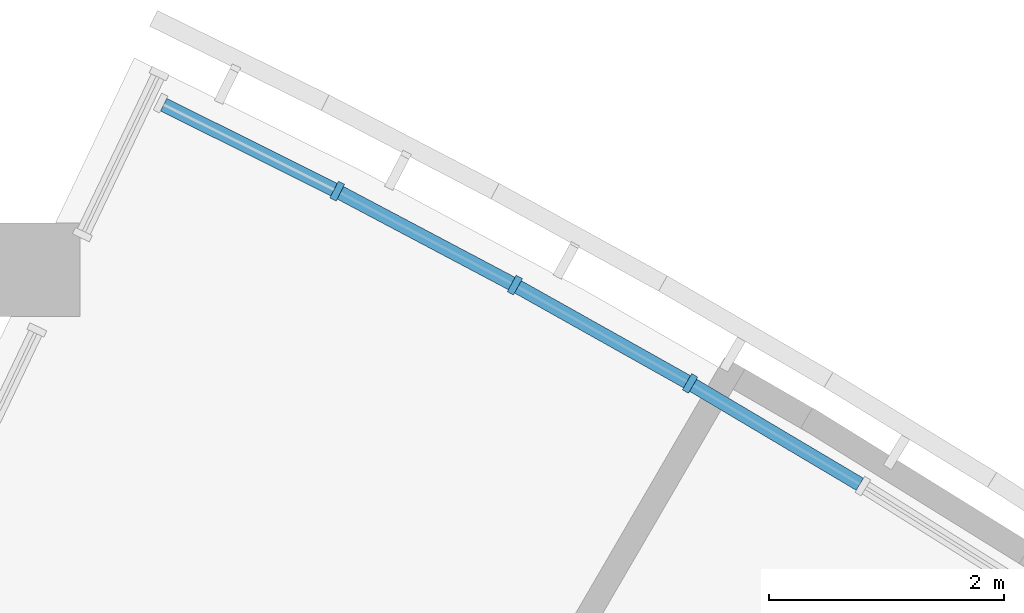
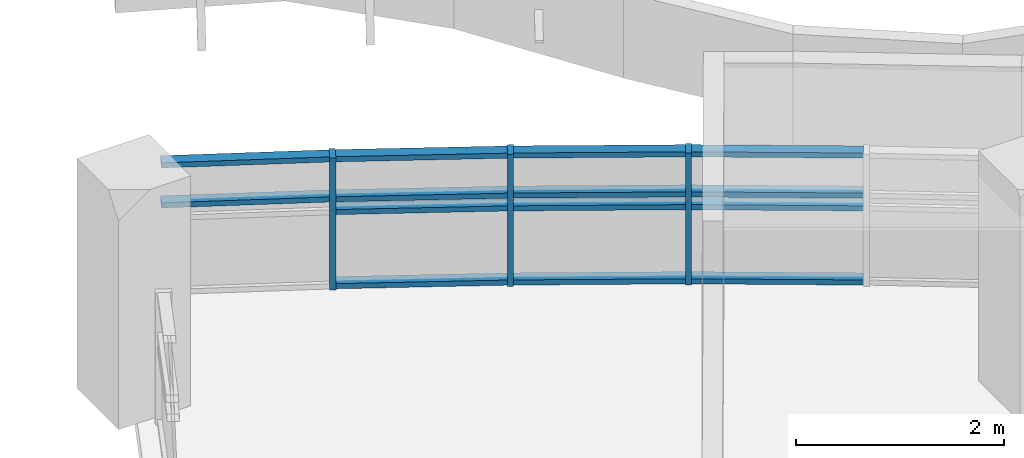
# One storey, part 11 of 89: 17 members, 1 element without a shape of its own.
"""IFC4 building model written with IfcOpenShell, lengths in metres."""

from ifc_helpers import new_model, si_unit, direction, frame, origin, origin_2d, place, context, subcontext, project, spatial, rectangle, extrude, material, material_profile, profile_set, type_object, element, aggregate, save


model = new_model("IFC4")

# Units and contexts
model_context = context("Model", 3, precision=1e-05, world=origin(), true_north=direction((0.0, 1.0)))
body_context = subcontext(model_context, "Body", "Model", "MODEL_VIEW")
ifc_project = project(units=[si_unit("LENGTHUNIT", "METRE"), si_unit("AREAUNIT", "SQUARE_METRE"), si_unit("VOLUMEUNIT", "CUBIC_METRE"), si_unit("PLANEANGLEUNIT", "RADIAN"), si_unit("MASSUNIT", "GRAM", prefix="KILO")], contexts=[model_context])

# Site, building, storey
site_placement = place(None, origin())
site = spatial("IfcSite", under=ifc_project, at=site_placement, CompositionType="ELEMENT")
building_placement = place(site_placement, origin())
building = spatial("IfcBuilding", under=site, at=building_placement, Name="Bougainvillea Quay General Hospital", CompositionType="ELEMENT")
storey_placement = place(building_placement, frame((0.0, 0.0, 9.89990234375)))
storey = spatial("IfcBuildingStorey", under=building, at=storey_placement, Name="L01M", CompositionType="ELEMENT", Elevation=9.89990234375)

# Curtain wall, members
ifc_material_1 = material(Name="Aluminium curtain wall system, powder-coated glazed", Category="aluminium")
curtain_wall_type = type_object("IfcCurtainWallType", Name="Unitised curtain wall CW-2100", PredefinedType="NOTDEFINED", material=ifc_material_1)
curtain_wall_placement = place(storey_placement, origin())
curtain_wall = element("IfcCurtainWall", 1, at=curtain_wall_placement, inside=storey, type_object=curtain_wall_type, Name="CW-E01 a10b0", PredefinedType="NOTDEFINED")
ifc_material_2 = material(Name="Aluminium mullion, powder-coated charcoal", Category="aluminium")
ifc_material_profile_1 = material_profile(ifc_material_2, rectangle(XDim=0.159912109375, YDim=0.06005859375, at=origin_2d()))
ifc_profile_set_1 = profile_set([ifc_material_profile_1], Name="Aluminium mullion, powder-coated charcoal")
member_type_1 = type_object("IfcMemberType", Name="Curtain wall mullion 160x60", PredefinedType="MULLION", material=ifc_profile_set_1)
member_1_placement = place(storey_placement, frame((141.066650390625, 84.04541015625, 0.0), z_axis=(0.0, 0.0, 1.0), x_axis=(0.456867508547, 0.889534754596, 0.0)))
member_1 = element("IfcMember", 2, at=member_1_placement, type_object=member_type_1, Name="CW-E01 mullion 2", PredefinedType="MULLION", context=body_context, shape_type="SweptSolid", body=[
    extrude(rectangle(XDim=0.159912109375, YDim=0.06005859375, at=origin_2d()), origin(), (0.0, 0.0, 1.0), 1.550048828125),
])
member_2_placement = place(storey_placement, frame((142.580322265625, 83.244384765625, 0.0), z_axis=(0.0, 0.0, 1.0), x_axis=(0.478567243187, 0.878050906126, 0.0)))
member_2 = element("IfcMember", 3, at=member_2_placement, type_object=member_type_1, Name="CW-E01 mullion 3", PredefinedType="MULLION", context=body_context, shape_type="SweptSolid", body=[
    extrude(rectangle(XDim=0.159912109375, YDim=0.06005859375, at=origin_2d()), origin(), (0.0, 0.0, 1.0), 1.550048828125),
])
member_3_placement = place(storey_placement, frame((144.07373046875, 82.406494140625, 0.0), z_axis=(0.0, 0.0, 1.0), x_axis=(0.499978517932, 0.866037806107, 0.0)))
member_3 = element("IfcMember", 4, at=member_3_placement, type_object=member_type_1, Name="CW-E01 mullion 4", PredefinedType="MULLION", context=body_context, shape_type="SweptSolid", body=[
    extrude(rectangle(XDim=0.159912109375, YDim=0.06005859375, at=origin_2d()), origin(), (0.0, 0.0, 1.0), 1.550048828125),
])
ifc_material_3 = material(Name="Aluminium transom, powder-coated charcoal", Category="aluminium")
ifc_material_profile_2 = material_profile(ifc_material_3, rectangle(XDim=0.1201171875, YDim=0.06005859375, at=origin_2d()))
ifc_profile_set_2 = profile_set([ifc_material_profile_2], Name="Aluminium transom, powder-coated charcoal")
member_type_2 = type_object("IfcMemberType", Name="Curtain wall transom 120x60", PredefinedType="USERDEFINED", material=ifc_profile_set_2)
member_4_placement = place(storey_placement, frame((139.587646484375, 84.7822265625, 1.050048828125), z_axis=(0.895028282909, -0.44600938644, 0.0), x_axis=(0.44600938644, 0.895028282909, 0.0)))
member_4 = element("IfcMember", 5, at=member_4_placement, type_object=member_type_2, Name="CW-E01 transom 1.3", ObjectType="TRANSOM", PredefinedType="USERDEFINED", context=body_context, shape_type="SweptSolid", body=[
    extrude(rectangle(XDim=0.1201171875, YDim=0.06005859375, at=origin_2d()), origin(), (0.0, 0.0, 1.0), 1.62255859375),
])
member_5_placement = place(storey_placement, frame((139.587646484375, 84.7822265625, 1.52001953125), z_axis=(0.895028282909, -0.44600938644, 0.0), x_axis=(0.44600938644, 0.895028282909, 0.0)))
member_5 = element("IfcMember", 6, at=member_5_placement, type_object=member_type_2, Name="CW-E01 transom 1.4", ObjectType="TRANSOM", PredefinedType="USERDEFINED", context=body_context, shape_type="SweptSolid", body=[
    extrude(rectangle(XDim=0.1201171875, YDim=0.06005859375, at=origin_2d()), origin(), (0.0, 0.0, 1.0), 1.62255859375),
])
member_6_placement = place(storey_placement, frame((141.09326171875, 84.03125, 0.030029296875), z_axis=(0.883845412695, -0.467779100066, 0.0), x_axis=(0.467779100066, 0.883845412695, 0.0)))
member_6 = element("IfcMember", 7, at=member_6_placement, type_object=member_type_2, Name="CW-E01 transom 2.1", ObjectType="TRANSOM", PredefinedType="USERDEFINED", context=body_context, shape_type="SweptSolid", body=[
    extrude(rectangle(XDim=0.1201171875, YDim=0.06005859375, at=origin_2d()), origin(), (0.0, 0.0, 1.0), 1.65234375),
])
member_7_placement = place(storey_placement, frame((141.09326171875, 84.03125, 0.900146484375), z_axis=(0.883845412695, -0.467779100066, 0.0), x_axis=(0.467779100066, 0.883845412695, 0.0)))
member_7 = element("IfcMember", 8, at=member_7_placement, type_object=member_type_2, Name="CW-E01 transom 2.2", ObjectType="TRANSOM", PredefinedType="USERDEFINED", context=body_context, shape_type="SweptSolid", body=[
    extrude(rectangle(XDim=0.1201171875, YDim=0.06005859375, at=origin_2d()), origin(), (0.0, 0.0, 1.0), 1.65234375),
])
member_8_placement = place(storey_placement, frame((141.09326171875, 84.03125, 1.050048828125), z_axis=(0.883845412695, -0.467779100066, 0.0), x_axis=(0.467779100066, 0.883845412695, 0.0)))
member_8 = element("IfcMember", 9, at=member_8_placement, type_object=member_type_2, Name="CW-E01 transom 2.3", ObjectType="TRANSOM", PredefinedType="USERDEFINED", context=body_context, shape_type="SweptSolid", body=[
    extrude(rectangle(XDim=0.1201171875, YDim=0.06005859375, at=origin_2d()), origin(), (0.0, 0.0, 1.0), 1.65234375),
])
member_9_placement = place(storey_placement, frame((141.09326171875, 84.03125, 1.52001953125), z_axis=(0.883845412695, -0.467779100066, 0.0), x_axis=(0.467779100066, 0.883845412695, 0.0)))
member_9 = element("IfcMember", 10, at=member_9_placement, type_object=member_type_2, Name="CW-E01 transom 2.4", ObjectType="TRANSOM", PredefinedType="USERDEFINED", context=body_context, shape_type="SweptSolid", body=[
    extrude(rectangle(XDim=0.1201171875, YDim=0.06005859375, at=origin_2d()), origin(), (0.0, 0.0, 1.0), 1.65234375),
])
member_10_placement = place(storey_placement, frame((142.6064453125, 83.229736328125, 0.030029296875), z_axis=(0.872107674889, -0.489314013084, 0.0), x_axis=(0.489314013084, 0.872107674889, 0.0)))
member_10 = element("IfcMember", 11, at=member_10_placement, type_object=member_type_2, Name="CW-E01 transom 3.1", ObjectType="TRANSOM", PredefinedType="USERDEFINED", context=body_context, shape_type="SweptSolid", body=[
    extrude(rectangle(XDim=0.1201171875, YDim=0.06005859375, at=origin_2d()), origin(), (0.0, 0.0, 1.0), 1.652587890625),
])
member_11_placement = place(storey_placement, frame((142.6064453125, 83.229736328125, 0.900146484375), z_axis=(0.872107674889, -0.489314013084, 0.0), x_axis=(0.489314013084, 0.872107674889, 0.0)))
member_11 = element("IfcMember", 12, at=member_11_placement, type_object=member_type_2, Name="CW-E01 transom 3.2", ObjectType="TRANSOM", PredefinedType="USERDEFINED", context=body_context, shape_type="SweptSolid", body=[
    extrude(rectangle(XDim=0.1201171875, YDim=0.06005859375, at=origin_2d()), origin(), (0.0, 0.0, 1.0), 1.652587890625),
])
member_12_placement = place(storey_placement, frame((142.6064453125, 83.229736328125, 1.050048828125), z_axis=(0.872107674889, -0.489314013084, 0.0), x_axis=(0.489314013084, 0.872107674889, 0.0)))
member_12 = element("IfcMember", 13, at=member_12_placement, type_object=member_type_2, Name="CW-E01 transom 3.3", ObjectType="TRANSOM", PredefinedType="USERDEFINED", context=body_context, shape_type="SweptSolid", body=[
    extrude(rectangle(XDim=0.1201171875, YDim=0.06005859375, at=origin_2d()), origin(), (0.0, 0.0, 1.0), 1.652587890625),
])
member_13_placement = place(storey_placement, frame((142.6064453125, 83.229736328125, 1.52001953125), z_axis=(0.872107674889, -0.489314013084, 0.0), x_axis=(0.489314013084, 0.872107674889, 0.0)))
member_13 = element("IfcMember", 14, at=member_13_placement, type_object=member_type_2, Name="CW-E01 transom 3.4", ObjectType="TRANSOM", PredefinedType="USERDEFINED", context=body_context, shape_type="SweptSolid", body=[
    extrude(rectangle(XDim=0.1201171875, YDim=0.06005859375, at=origin_2d()), origin(), (0.0, 0.0, 1.0), 1.652587890625),
])
member_14_placement = place(storey_placement, frame((144.099365234375, 82.39111328125, 0.030029296875), z_axis=(0.859830422231, -0.510579714644, 0.0), x_axis=(0.510579714644, 0.859830422231, 0.0)))
member_14 = element("IfcMember", 15, at=member_14_placement, type_object=member_type_2, Name="CW-E01 transom 4.1", ObjectType="TRANSOM", PredefinedType="USERDEFINED", context=body_context, shape_type="SweptSolid", body=[
    extrude(rectangle(XDim=0.1201171875, YDim=0.06005859375, at=origin_2d()), origin(), (0.0, 0.0, 1.0), 1.652587890625),
])
member_15_placement = place(storey_placement, frame((144.099365234375, 82.39111328125, 0.900146484375), z_axis=(0.859830422231, -0.510579714644, 0.0), x_axis=(0.510579714644, 0.859830422231, 0.0)))
member_15 = element("IfcMember", 16, at=member_15_placement, type_object=member_type_2, Name="CW-E01 transom 4.2", ObjectType="TRANSOM", PredefinedType="USERDEFINED", context=body_context, shape_type="SweptSolid", body=[
    extrude(rectangle(XDim=0.1201171875, YDim=0.06005859375, at=origin_2d()), origin(), (0.0, 0.0, 1.0), 1.652587890625),
])
member_16_placement = place(storey_placement, frame((144.099365234375, 82.39111328125, 1.050048828125), z_axis=(0.859830422231, -0.510579714644, 0.0), x_axis=(0.510579714644, 0.859830422231, 0.0)))
member_16 = element("IfcMember", 17, at=member_16_placement, type_object=member_type_2, Name="CW-E01 transom 4.3", ObjectType="TRANSOM", PredefinedType="USERDEFINED", context=body_context, shape_type="SweptSolid", body=[
    extrude(rectangle(XDim=0.1201171875, YDim=0.06005859375, at=origin_2d()), origin(), (0.0, 0.0, 1.0), 1.652587890625),
])
member_17_placement = place(storey_placement, frame((144.099365234375, 82.39111328125, 1.52001953125), z_axis=(0.859830422231, -0.510579714644, 0.0), x_axis=(0.510579714644, 0.859830422231, 0.0)))
member_17 = element("IfcMember", 18, at=member_17_placement, type_object=member_type_2, Name="CW-E01 transom 4.4", ObjectType="TRANSOM", PredefinedType="USERDEFINED", context=body_context, shape_type="SweptSolid", body=[
    extrude(rectangle(XDim=0.1201171875, YDim=0.06005859375, at=origin_2d()), origin(), (0.0, 0.0, 1.0), 1.652587890625),
])
aggregate(curtain_wall, [member_1, member_2, member_3, member_4, member_5, member_6, member_7, member_8, member_9, member_10, member_11, member_12, member_13, member_14, member_15, member_16, member_17])

save(model, "model.ifc")
